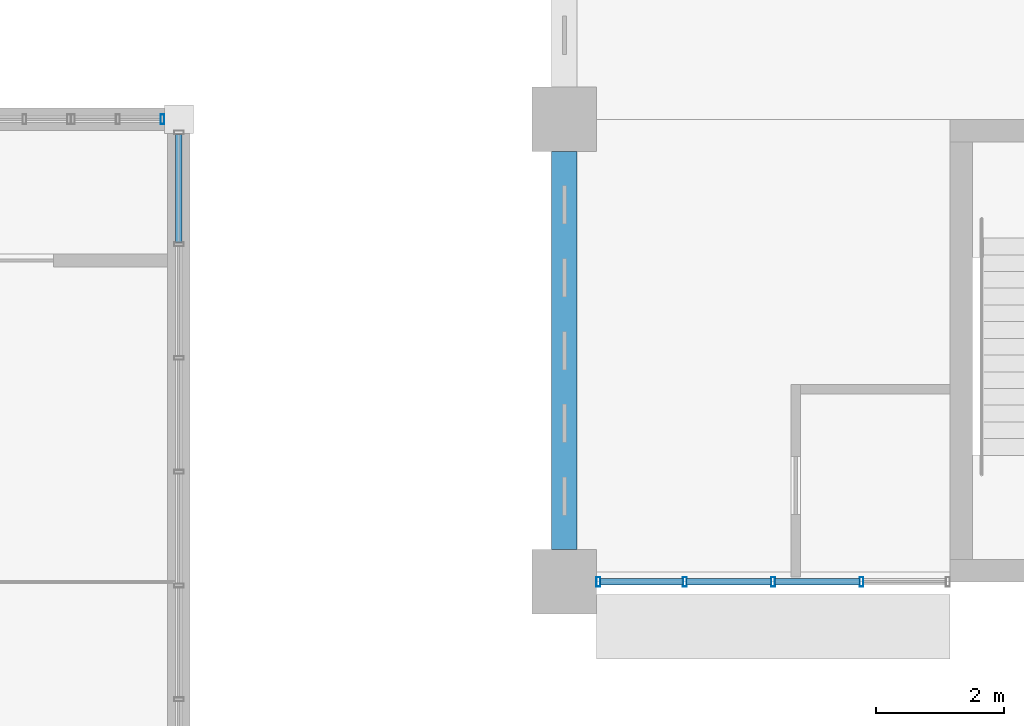
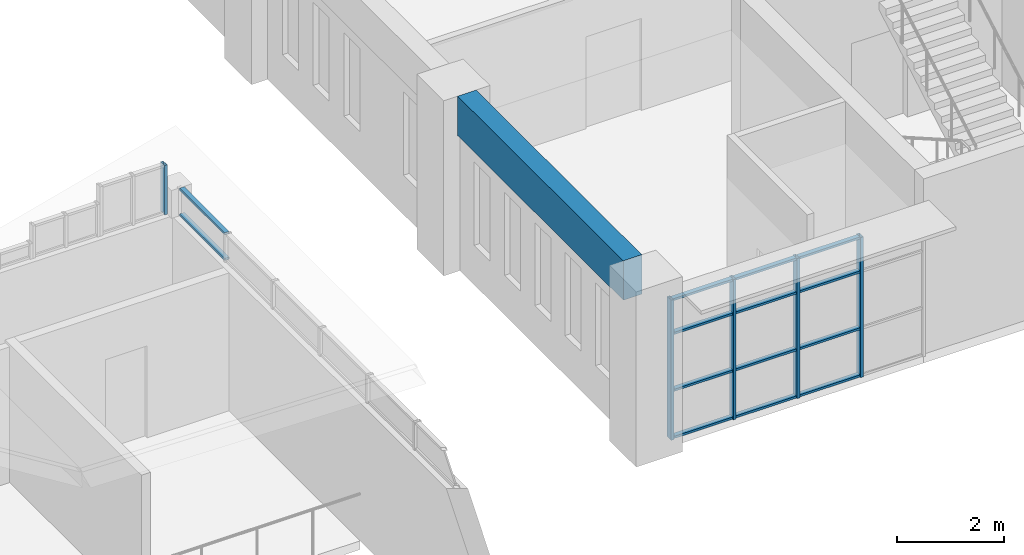
# One storey, part 28 of 92: 19 members, 1 beam, 3 elements without a shape of their own.
"""IFC4 building model written with IfcOpenShell, lengths in metres."""

from ifc_helpers import new_model, si_unit, direction, frame, origin, origin_2d, place, context, subcontext, project, spatial, rectangle, hollow_rectangle, extrude, material, material_profile, profile_set, type_object, element, aggregate, save


model = new_model("IFC4")

# Units and contexts
model_context = context("Model", 3, precision=1e-05, world=origin(), true_north=direction((0.0, 1.0)))
body_context = subcontext(model_context, "Body", "Model", "MODEL_VIEW")
ifc_project = project(units=[si_unit("LENGTHUNIT", "METRE"), si_unit("AREAUNIT", "SQUARE_METRE"), si_unit("VOLUMEUNIT", "CUBIC_METRE"), si_unit("PLANEANGLEUNIT", "RADIAN"), si_unit("MASSUNIT", "GRAM", prefix="KILO")], contexts=[model_context])

# Site, building, storey
site_placement = place(None, origin())
site = spatial("IfcSite", under=ifc_project, at=site_placement, CompositionType="ELEMENT")
building_placement = place(site_placement, origin())
building = spatial("IfcBuilding", under=site, at=building_placement, Name="Laocheng Heights Fire and Rescue Headquarters", CompositionType="ELEMENT")
storey_placement = place(building_placement, frame((0.0, 0.0, 12.60009765625)))
storey = spatial("IfcBuildingStorey", under=building, at=storey_placement, Name="L03", CompositionType="ELEMENT", Elevation=12.60009765625)

# Curtain wall, members
ifc_material_1 = material(Name="Dark anodised aluminium unitised curtain wall, low-e double glazing", Category="aluminium")
curtain_wall_type_1 = type_object("IfcCurtainWallType", Name="CW 5500 x 3200 HQ SOUTH RIBBON", PredefinedType="NOTDEFINED", material=ifc_material_1)
curtain_wall_1_placement = place(storey_placement, origin())
curtain_wall_1 = element("IfcCurtainWall", 1, at=curtain_wall_1_placement, inside=storey, type_object=curtain_wall_type_1, Name="X8-X HQ SOUTH L03", PredefinedType="NOTDEFINED")
ifc_material_2 = material(Name="Dark anodised aluminium 6063-T5 extrusion", Category="aluminium")
ifc_material_profile_1 = material_profile(ifc_material_2, hollow_rectangle(XDim=0.14990234375, YDim=0.06005859375, WallThickness=0.0029296875, at=origin_2d()), Name="AL MULLION 150x60x3 HQ SOUTH RIBBON")
ifc_profile_set_1 = profile_set([ifc_material_profile_1], Name="Dark anodised aluminium 6063-T5 extrusion")
member_type_1 = type_object("IfcMemberType", Name="AL MULLION 150x60x3 HQ SOUTH RIBBON", PredefinedType="MULLION", material=ifc_profile_set_1)
member_1_placement = place(storey_placement, frame((36.530029296875, 50.39990234375, 0.0), z_axis=(0.0, 0.0, 1.0), x_axis=(0.0, 1.0, 0.0)))
member_1 = element("IfcMember", 2, at=member_1_placement, type_object=member_type_1, Name="X8-X mullion 1", PredefinedType="MULLION", context=body_context, shape_type="SweptSolid", body=[
    extrude(hollow_rectangle(XDim=0.14990234375, YDim=0.06005859375, WallThickness=0.0029296875, at=origin_2d()), origin(), (0.0, 0.0, 1.0), 3.199951171875),
])
member_2_placement = place(storey_placement, frame((37.875, 50.39990234375, 0.0), z_axis=(0.0, 0.0, 1.0), x_axis=(0.0, 1.0, 0.0)))
member_2 = element("IfcMember", 3, at=member_2_placement, type_object=member_type_1, Name="X8-X mullion 2", PredefinedType="MULLION", context=body_context, shape_type="SweptSolid", body=[
    extrude(hollow_rectangle(XDim=0.14990234375, YDim=0.06005859375, WallThickness=0.0029296875, at=origin_2d()), origin(), (0.0, 0.0, 1.0), 3.199951171875),
])
member_3_placement = place(storey_placement, frame((39.25, 50.39990234375, 0.0), z_axis=(0.0, 0.0, 1.0), x_axis=(0.0, 1.0, 0.0)))
member_3 = element("IfcMember", 4, at=member_3_placement, type_object=member_type_1, Name="X8-X mullion 3", PredefinedType="MULLION", context=body_context, shape_type="SweptSolid", body=[
    extrude(hollow_rectangle(XDim=0.14990234375, YDim=0.06005859375, WallThickness=0.0029296875, at=origin_2d()), origin(), (0.0, 0.0, 1.0), 3.199951171875),
])
member_4_placement = place(storey_placement, frame((40.625, 50.39990234375, 0.0), z_axis=(0.0, 0.0, 1.0), x_axis=(0.0, 1.0, 0.0)))
member_4 = element("IfcMember", 5, at=member_4_placement, type_object=member_type_1, Name="X8-X mullion 4", PredefinedType="MULLION", context=body_context, shape_type="SweptSolid", body=[
    extrude(hollow_rectangle(XDim=0.14990234375, YDim=0.06005859375, WallThickness=0.0029296875, at=origin_2d()), origin(), (0.0, 0.0, 1.0), 3.199951171875),
])

# Curtain wall, member
ifc_material_3 = material(Name="Dark anodised aluminium unitised curtain wall, low-e double glazing", Category="aluminium")
curtain_wall_type_2 = type_object("IfcCurtainWallType", Name="CW 1452 x 1126 THEATRE GABLE UNIT", PredefinedType="NOTDEFINED", material=ifc_material_3)
curtain_wall_2_placement = place(storey_placement, origin())
curtain_wall_2 = element("IfcCurtainWall", 6, at=curtain_wall_2_placement, inside=storey, type_object=curtain_wall_type_2, Name="X14-V THEATRE NORTH GABLE 12", PredefinedType="NOTDEFINED")
ifc_material_4 = material(Name="Dark anodised aluminium 6063-T5 extrusion", Category="aluminium")
ifc_material_profile_2 = material_profile(ifc_material_4, hollow_rectangle(XDim=0.14990234375, YDim=0.06005859375, WallThickness=0.0029296875, at=origin_2d()), Name="AL MULLION 150x60x3 THEATRE GABLE UNIT")
ifc_profile_set_2 = profile_set([ifc_material_profile_2], Name="Dark anodised aluminium 6063-T5 extrusion")
member_type_2 = type_object("IfcMemberType", Name="AL MULLION 150x60x3 THEATRE GABLE UNIT", PredefinedType="MULLION", material=ifc_profile_set_2)
member_5_placement = place(storey_placement, frame((29.7451171875, 57.60009765625, 3.158447265625), z_axis=(0.0, 0.0, 1.0), x_axis=(0.0, 1.0, 0.0)))
member_5 = element("IfcMember", 7, at=member_5_placement, type_object=member_type_2, Name="X14-V mullion 3", PredefinedType="MULLION", context=body_context, shape_type="SweptSolid", body=[
    extrude(hollow_rectangle(XDim=0.14990234375, YDim=0.06005859375, WallThickness=0.0029296875, at=origin_2d()), origin(), (0.0, 0.0, 1.0), 1.12548828125),
])
aggregate(curtain_wall_2, [member_5])

# Member
ifc_material_5 = material(Name="Dark anodised aluminium 6063-T5 extrusion", Category="aluminium")
ifc_material_profile_3 = material_profile(ifc_material_5, hollow_rectangle(XDim=0.10009765625, YDim=0.050048828125, WallThickness=0.0029296875, at=origin_2d()), Name="AL TRANSOM 100x50x3 HQ SOUTH RIBBON")
ifc_profile_set_3 = profile_set([ifc_material_profile_3], Name="Dark anodised aluminium 6063-T5 extrusion")
member_type_3 = type_object("IfcMemberType", Name="AL TRANSOM 100x50x3 HQ SOUTH RIBBON", PredefinedType="USERDEFINED", material=ifc_profile_set_3)
member_6_placement = place(storey_placement, frame((36.56005859375, 50.39990234375, 0.02490234375), z_axis=(1.0, 0.0, 0.0), x_axis=(0.0, 1.0, 0.0)))
member_6 = element("IfcMember", 8, at=member_6_placement, type_object=member_type_3, Name="X8-X transom 1.1", ObjectType="TRANSOM", PredefinedType="USERDEFINED", context=body_context, shape_type="SweptSolid", body=[
    extrude(hollow_rectangle(XDim=0.10009765625, YDim=0.050048828125, WallThickness=0.0029296875, at=origin_2d()), origin(), (0.0, 0.0, 1.0), 1.284912109375),
])

member_7_placement = place(storey_placement, frame((36.56005859375, 50.39990234375, 1.099853515625), z_axis=(1.0, 0.0, 0.0), x_axis=(0.0, 1.0, 0.0)))
member_7 = element("IfcMember", 9, at=member_7_placement, type_object=member_type_3, Name="X8-X transom 1.2", ObjectType="TRANSOM", PredefinedType="USERDEFINED", context=body_context, shape_type="SweptSolid", body=[
    extrude(hollow_rectangle(XDim=0.10009765625, YDim=0.050048828125, WallThickness=0.0029296875, at=origin_2d()), origin(), (0.0, 0.0, 1.0), 1.284912109375),
])

member_8_placement = place(storey_placement, frame((36.56005859375, 50.39990234375, 2.39990234375), z_axis=(1.0, 0.0, 0.0), x_axis=(0.0, 1.0, 0.0)))
member_8 = element("IfcMember", 10, at=member_8_placement, type_object=member_type_3, Name="X8-X transom 1.3", ObjectType="TRANSOM", PredefinedType="USERDEFINED", context=body_context, shape_type="SweptSolid", body=[
    extrude(hollow_rectangle(XDim=0.10009765625, YDim=0.050048828125, WallThickness=0.0029296875, at=origin_2d()), origin(), (0.0, 0.0, 1.0), 1.284912109375),
])

member_9_placement = place(storey_placement, frame((36.56005859375, 50.39990234375, 3.1748046875), z_axis=(1.0, 0.0, 0.0), x_axis=(0.0, 1.0, 0.0)))
member_9 = element("IfcMember", 11, at=member_9_placement, type_object=member_type_3, Name="X8-X transom 1.4", ObjectType="TRANSOM", PredefinedType="USERDEFINED", context=body_context, shape_type="SweptSolid", body=[
    extrude(hollow_rectangle(XDim=0.10009765625, YDim=0.050048828125, WallThickness=0.0029296875, at=origin_2d()), origin(), (0.0, 0.0, 1.0), 1.284912109375),
])

member_10_placement = place(storey_placement, frame((37.905029296875, 50.39990234375, 0.02490234375), z_axis=(1.0, 0.0, 0.0), x_axis=(0.0, 1.0, 0.0)))
member_10 = element("IfcMember", 12, at=member_10_placement, type_object=member_type_3, Name="X8-X transom 2.1", ObjectType="TRANSOM", PredefinedType="USERDEFINED", context=body_context, shape_type="SweptSolid", body=[
    extrude(hollow_rectangle(XDim=0.10009765625, YDim=0.050048828125, WallThickness=0.0029296875, at=origin_2d()), origin(), (0.0, 0.0, 1.0), 1.31494140625),
])

member_11_placement = place(storey_placement, frame((37.905029296875, 50.39990234375, 1.099853515625), z_axis=(1.0, 0.0, 0.0), x_axis=(0.0, 1.0, 0.0)))
member_11 = element("IfcMember", 13, at=member_11_placement, type_object=member_type_3, Name="X8-X transom 2.2", ObjectType="TRANSOM", PredefinedType="USERDEFINED", context=body_context, shape_type="SweptSolid", body=[
    extrude(hollow_rectangle(XDim=0.10009765625, YDim=0.050048828125, WallThickness=0.0029296875, at=origin_2d()), origin(), (0.0, 0.0, 1.0), 1.31494140625),
])

member_12_placement = place(storey_placement, frame((37.905029296875, 50.39990234375, 2.39990234375), z_axis=(1.0, 0.0, 0.0), x_axis=(0.0, 1.0, 0.0)))
member_12 = element("IfcMember", 14, at=member_12_placement, type_object=member_type_3, Name="X8-X transom 2.3", ObjectType="TRANSOM", PredefinedType="USERDEFINED", context=body_context, shape_type="SweptSolid", body=[
    extrude(hollow_rectangle(XDim=0.10009765625, YDim=0.050048828125, WallThickness=0.0029296875, at=origin_2d()), origin(), (0.0, 0.0, 1.0), 1.31494140625),
])

member_13_placement = place(storey_placement, frame((37.905029296875, 50.39990234375, 3.1748046875), z_axis=(1.0, 0.0, 0.0), x_axis=(0.0, 1.0, 0.0)))
member_13 = element("IfcMember", 15, at=member_13_placement, type_object=member_type_3, Name="X8-X transom 2.4", ObjectType="TRANSOM", PredefinedType="USERDEFINED", context=body_context, shape_type="SweptSolid", body=[
    extrude(hollow_rectangle(XDim=0.10009765625, YDim=0.050048828125, WallThickness=0.0029296875, at=origin_2d()), origin(), (0.0, 0.0, 1.0), 1.31494140625),
])

member_14_placement = place(storey_placement, frame((39.280029296875, 50.39990234375, 0.02490234375), z_axis=(1.0, 0.0, 0.0), x_axis=(0.0, 1.0, 0.0)))
member_14 = element("IfcMember", 16, at=member_14_placement, type_object=member_type_3, Name="X8-X transom 3.1", ObjectType="TRANSOM", PredefinedType="USERDEFINED", context=body_context, shape_type="SweptSolid", body=[
    extrude(hollow_rectangle(XDim=0.10009765625, YDim=0.050048828125, WallThickness=0.0029296875, at=origin_2d()), origin(), (0.0, 0.0, 1.0), 1.31494140625),
])

member_15_placement = place(storey_placement, frame((39.280029296875, 50.39990234375, 1.099853515625), z_axis=(1.0, 0.0, 0.0), x_axis=(0.0, 1.0, 0.0)))
member_15 = element("IfcMember", 17, at=member_15_placement, type_object=member_type_3, Name="X8-X transom 3.2", ObjectType="TRANSOM", PredefinedType="USERDEFINED", context=body_context, shape_type="SweptSolid", body=[
    extrude(hollow_rectangle(XDim=0.10009765625, YDim=0.050048828125, WallThickness=0.0029296875, at=origin_2d()), origin(), (0.0, 0.0, 1.0), 1.31494140625),
])

member_16_placement = place(storey_placement, frame((39.280029296875, 50.39990234375, 2.39990234375), z_axis=(1.0, 0.0, 0.0), x_axis=(0.0, 1.0, 0.0)))
member_16 = element("IfcMember", 18, at=member_16_placement, type_object=member_type_3, Name="X8-X transom 3.3", ObjectType="TRANSOM", PredefinedType="USERDEFINED", context=body_context, shape_type="SweptSolid", body=[
    extrude(hollow_rectangle(XDim=0.10009765625, YDim=0.050048828125, WallThickness=0.0029296875, at=origin_2d()), origin(), (0.0, 0.0, 1.0), 1.31494140625),
])

member_17_placement = place(storey_placement, frame((39.280029296875, 50.39990234375, 3.1748046875), z_axis=(1.0, 0.0, 0.0), x_axis=(0.0, 1.0, 0.0)))
member_17 = element("IfcMember", 19, at=member_17_placement, type_object=member_type_3, Name="X8-X transom 3.4", ObjectType="TRANSOM", PredefinedType="USERDEFINED", context=body_context, shape_type="SweptSolid", body=[
    extrude(hollow_rectangle(XDim=0.10009765625, YDim=0.050048828125, WallThickness=0.0029296875, at=origin_2d()), origin(), (0.0, 0.0, 1.0), 1.31494140625),
])

aggregate(curtain_wall_1, [member_1, member_2, member_3, member_4, member_6, member_7, member_8, member_9, member_10, member_11, member_12, member_13, member_14, member_15, member_16, member_17])

# Curtain wall, members
ifc_material_6 = material(Name="Dark anodised aluminium unitised curtain wall, low-e double glazing", Category="aluminium")
curtain_wall_type_3 = type_object("IfcCurtainWallType", Name="CW 21250 x 636 THEATRE CLERESTORY", PredefinedType="NOTDEFINED", material=ifc_material_6)
curtain_wall_3_placement = place(storey_placement, origin())
curtain_wall_3 = element("IfcCurtainWall", 20, at=curtain_wall_3_placement, inside=storey, type_object=curtain_wall_type_3, Name="X5-V THEATRE CLERESTORY EAST", PredefinedType="NOTDEFINED")
ifc_material_7 = material(Name="Dark anodised aluminium 6063-T5 extrusion", Category="aluminium")
ifc_material_profile_4 = material_profile(ifc_material_7, hollow_rectangle(XDim=0.10009765625, YDim=0.050048828125, WallThickness=0.0029296875, at=origin_2d()), Name="AL TRANSOM 100x50x3 THEATRE CLERESTORY")
ifc_profile_set_4 = profile_set([ifc_material_profile_4], Name="Dark anodised aluminium 6063-T5 extrusion")
member_type_4 = type_object("IfcMemberType", Name="AL TRANSOM 100x50x3 THEATRE CLERESTORY", PredefinedType="USERDEFINED", material=ifc_profile_set_4)
member_18_placement = place(storey_placement, frame((30.0, 55.68408203125, 3.1748046875), z_axis=(0.0, 1.0, 0.0), x_axis=(-1.0, 0.0, 0.0)))
member_18 = element("IfcMember", 21, at=member_18_placement, type_object=member_type_4, Name="X5-V transom 12.1", ObjectType="TRANSOM", PredefinedType="USERDEFINED", context=body_context, shape_type="SweptSolid", body=[
    extrude(hollow_rectangle(XDim=0.10009765625, YDim=0.050048828125, WallThickness=0.0029296875, at=origin_2d()), origin(), (0.0, 0.0, 1.0), 1.680908203125),
])
member_19_placement = place(storey_placement, frame((30.0, 55.68408203125, 3.76123046875), z_axis=(0.0, 1.0, 0.0), x_axis=(-1.0, 0.0, 0.0)))
member_19 = element("IfcMember", 22, at=member_19_placement, type_object=member_type_4, Name="X5-V transom 12.2", ObjectType="TRANSOM", PredefinedType="USERDEFINED", context=body_context, shape_type="SweptSolid", body=[
    extrude(hollow_rectangle(XDim=0.10009765625, YDim=0.050048828125, WallThickness=0.0029296875, at=origin_2d()), origin(), (0.0, 0.0, 1.0), 1.680908203125),
])
aggregate(curtain_wall_3, [member_18, member_19])

# Beam
ifc_material_8 = material(Name="Concrete C40", Category="concrete")
ifc_material_profile_5 = material_profile(ifc_material_8, rectangle(XDim=0.39990234375, YDim=0.89990234375, at=origin_2d()), Name="RC BEAM 400x900 HQ")
ifc_profile_set_5 = profile_set([ifc_material_profile_5], Name="Concrete C40")
beam_type = type_object("IfcBeamType", Name="RC BEAM 400x900 HQ", PredefinedType="BEAM", material=ifc_profile_set_5)
beam_placement = place(storey_placement, frame((36.0, 50.89990234375, 3.5498046875), z_axis=(0.0, 1.0, 0.0), x_axis=(-1.0, 0.0, 0.0)))
element("IfcBeam", 23, at=beam_placement, inside=storey, type_object=beam_type, Name="HQ beam L03", PredefinedType="BEAM", context=body_context, shape_type="SweptSolid", body=[
    extrude(rectangle(XDim=0.39990234375, YDim=0.89990234375, at=origin_2d()), origin(), (0.0, 0.0, 1.0), 6.2001953125),
])

save(model, "model.ifc")
